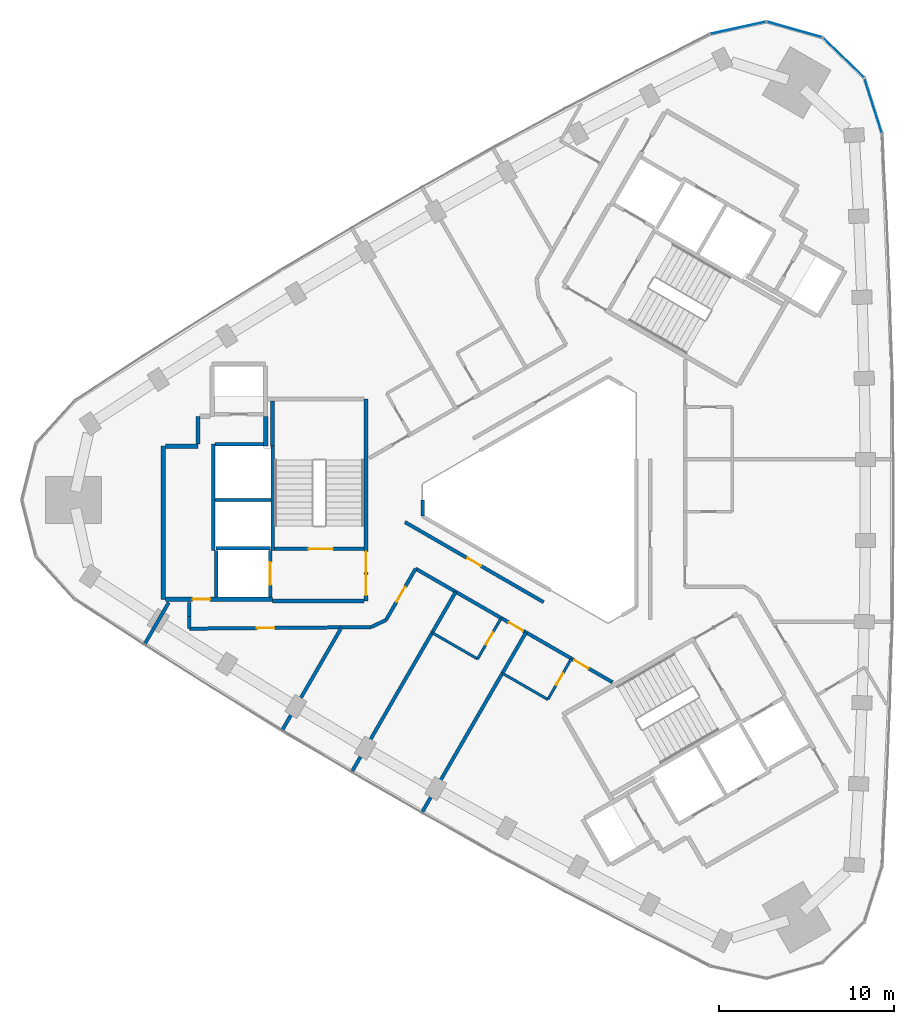
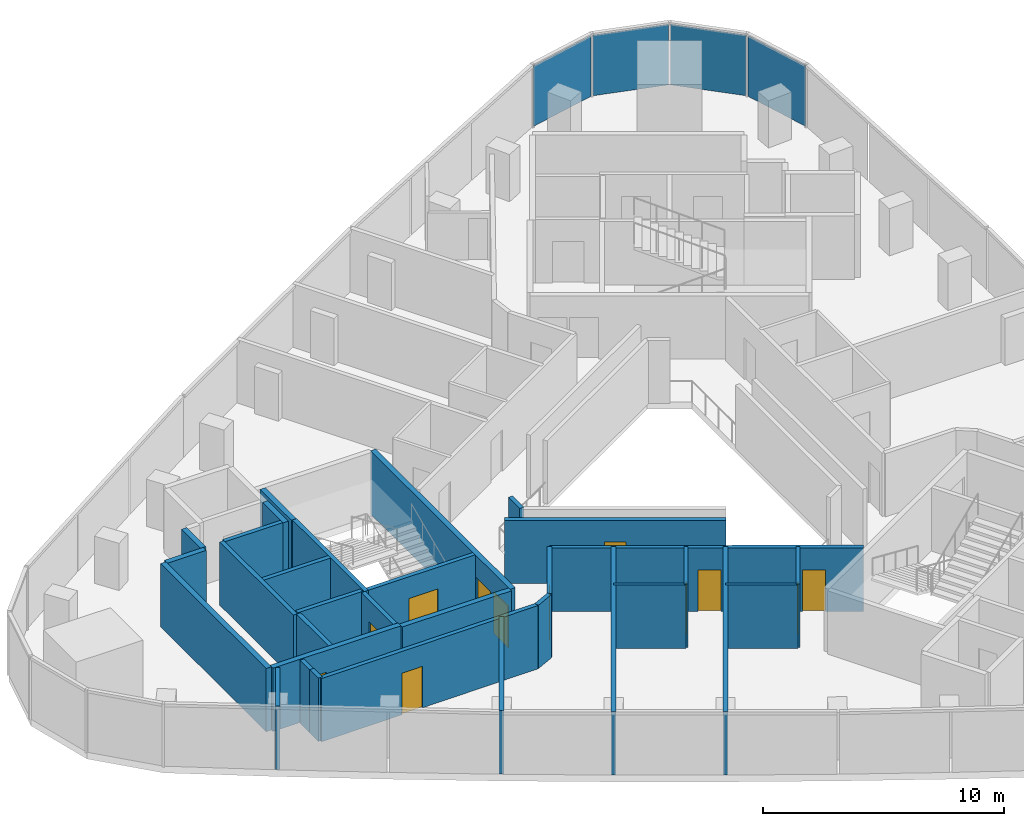
# One storey, part 7 of 11: 32 walls, 12 doors, 4 plates, 12 openings, 1 element without a shape of its own.
"""IFC4 building model written with IfcOpenShell, lengths in metres."""

from ifc_helpers import new_model, si_unit, direction, frame, frame_2d, origin, origin_2d, place, context, subcontext, project, spatial, rectangle, extrude, material, layer, layer_set, type_object, element, fill, aggregate, save


model = new_model("IFC4")

# Units and contexts
model_context = context("Model", 3, precision=1e-05, world=origin(), true_north=direction((0.0, 1.0)))
body_context = subcontext(model_context, "Body", "Model", "MODEL_VIEW")
ifc_project = project(units=[si_unit("LENGTHUNIT", "METRE"), si_unit("AREAUNIT", "SQUARE_METRE"), si_unit("VOLUMEUNIT", "CUBIC_METRE"), si_unit("PLANEANGLEUNIT", "RADIAN"), si_unit("MASSUNIT", "GRAM", prefix="KILO")], contexts=[model_context])

# Site, building, storey
site_placement = place(None, origin())
site = spatial("IfcSite", under=ifc_project, at=site_placement, CompositionType="ELEMENT")
building_placement = place(site_placement, origin())
building = spatial("IfcBuilding", under=site, at=building_placement, Name="Tamra Quay Hotel Tower", CompositionType="ELEMENT")
storey_placement = place(building_placement, frame((0.0, 0.0, 208.0)))
storey = spatial("IfcBuildingStorey", under=building, at=storey_placement, Name="L52", CompositionType="ELEMENT", Elevation=208.0)

# Curtain wall, plates
ifc_material_1 = material(Name="Aluminium 6063 anodised dark grey", Category="aluminium")
curtain_wall_type = type_object("IfcCurtainWallType", Name="CW1 CURTAIN WALL", PredefinedType="NOTDEFINED", material=ifc_material_1)
curtain_wall_placement = place(storey_placement, origin())
curtain_wall = element("IfcCurtainWall", 1, at=curtain_wall_placement, inside=storey, type_object=curtain_wall_type, Name="CW1 east face L52", PredefinedType="NOTDEFINED")
ifc_material_2 = material(Name="Glass clear laminated low-iron", Category="glass")
ifc_layer_1 = layer(ifc_material_2, 0.030029296875)
ifc_layer_set_1 = layer_set([ifc_layer_1], Name="GLASS PANEL CW1 Z4")
plate_type = type_object("IfcPlateType", Name="GLASS PANEL CW1 Z4", PredefinedType="CURTAIN_PANEL", material=ifc_layer_set_1)
plate_1_placement = place(storey_placement, frame((18.16064453125, 22.54052734375, 0.0), z_axis=(0.0, 0.0, 1.0), x_axis=(-0.303410479682, 0.952859948166, 0.0)))
plate_1 = element("IfcPlate", 2, at=plate_1_placement, type_object=plate_type, Name="CW1 glass L52.E.10", PredefinedType="CURTAIN_PANEL", context=body_context, shape_type="SweptSolid", body=[
    extrude(rectangle(XDim=3.227783203125, YDim=0.030029296875, at=origin_2d()), origin(), (0.0, 0.0, 1.0), 3.06005859375),
])
plate_2_placement = place(storey_placement, frame((16.461181640625, 25.2841796875, 0.0), z_axis=(0.0, 0.0, 1.0), x_axis=(-0.717974699393, 0.696069199888, 0.0)))
plate_2 = element("IfcPlate", 3, at=plate_2_placement, type_object=plate_type, Name="CW1 glass L52.E.11", PredefinedType="CURTAIN_PANEL", context=body_context, shape_type="SweptSolid", body=[
    extrude(rectangle(XDim=3.227783203125, YDim=0.030029296875, at=origin_2d()), origin(), (0.0, 0.0, 1.0), 3.06005859375),
])
plate_3_placement = place(storey_placement, frame((13.666259765625, 26.897705078125, 0.0), z_axis=(0.0, 0.0, 1.0), x_axis=(-0.961800959591, 0.273749729005, 0.0)))
plate_3 = element("IfcPlate", 4, at=plate_3_placement, type_object=plate_type, Name="CW1 glass L52.E.12", PredefinedType="CURTAIN_PANEL", context=body_context, shape_type="SweptSolid", body=[
    extrude(rectangle(XDim=3.227783203125, YDim=0.030029296875, at=origin_2d()), origin(), (0.0, 0.0, 1.0), 3.06005859375),
])
plate_4_placement = place(storey_placement, frame((10.4404296875, 26.997802734375, 0.0), z_axis=(0.0, 0.0, 1.0), x_axis=(-0.976906161202, -0.213668790904, 0.0)))
plate_4 = element("IfcPlate", 5, at=plate_4_placement, type_object=plate_type, Name="CW1 glass L52.E.13", PredefinedType="CURTAIN_PANEL", context=body_context, shape_type="SweptSolid", body=[
    extrude(rectangle(XDim=3.227783203125, YDim=0.030029296875, at=origin_2d()), origin(), (0.0, 0.0, 1.0), 3.06005859375),
])
aggregate(curtain_wall, [plate_1, plate_2, plate_3, plate_4])

# Walls
ifc_material_3 = material(Name="Concrete M70", Category="concrete")
ifc_layer_2 = layer(ifc_material_3, 0.199951171875)
ifc_layer_set_2 = layer_set([ifc_layer_2], Name="Concrete M70 core wall 200")
wall_type_1 = type_object("IfcWallType", Name="Concrete M70 core wall 200", PredefinedType="SHEAR", material=ifc_layer_set_2)
wall_1_placement = place(storey_placement, frame((-16.162109375, 3.073974609375, 0.0), z_axis=(0.0, 0.0, 1.0), x_axis=(0.0, -1.0, 0.0)))
element("IfcWall", 6, at=wall_1_placement, inside=storey, type_object=wall_type_1, Name="CW2", PredefinedType="SHEAR", context=body_context, shape_type="SweptSolid", body=[
    extrude(rectangle(XDim=5.97412109375, YDim=0.199951171875, at=frame_2d((2.987060546875, 0.0))), origin(), (0.0, 0.0, 1.0), 3.199951171875),
])
wall_2_placement = place(storey_placement, frame((-19.5625, -2.900146484375, 0.0), z_axis=(0.0, 0.0, 1.0), x_axis=(0.0, 1.0, 0.0)))
element("IfcWall", 7, at=wall_2_placement, inside=storey, type_object=wall_type_1, Name="CW2", PredefinedType="SHEAR", context=body_context, shape_type="SweptSolid", body=[
    extrude(rectangle(XDim=6.100341796875, YDim=0.199951171875, at=frame_2d((3.05029296875, 0.0))), origin(), (0.0, 0.0, 1.0), 3.199951171875),
])

# Wall, opening, door
wall_3_placement = place(storey_placement, frame((-10.96337890625, -2.800048828125, 0.0), z_axis=(0.0, 0.0, 1.0), x_axis=(-1.0, 0.0, 0.0)))
wall_3 = element("IfcWall", 8, at=wall_3_placement, inside=storey, type_object=wall_type_1, Name="CW2", PredefinedType="SHEAR", context=body_context, shape_type="SweptSolid", body=[
    extrude(rectangle(XDim=5.097900390625, YDim=0.199951171875, at=frame_2d((2.548828125, 0.0))), origin(), (0.0, 0.0, 1.0), 3.199951171875),
])
opening_1_placement = place(wall_3_placement, frame((1.77392578125, 0.0, 0.0)))
opening_1 = element("IfcOpeningElement", 9, at=opening_1_placement, cuts=wall_3, Name="Opening FD2", PredefinedType="OPENING", context=body_context, shape_type="SweptSolid", body=[
    extrude(rectangle(XDim=1.39990234375, YDim=2.10009765625, at=frame_2d((0.699951171875, 1.050048828125))), frame((0.0, 0.10986328125, 0.0), z_axis=(0.0, -1.0, 0.0), x_axis=(1.0, 0.0, 0.0)), (0.0, 0.0, 1.0), 0.219970703125),
])
ifc_material_4 = material(Name="Core door FD2 1400x2100 RH")
door_type_1 = type_object("IfcDoorType", Name="Core door FD2 1400x2100 RH", OperationType="NOTDEFINED", PredefinedType="DOOR", material=ifc_material_4)
door_1_placement = place(opening_1_placement, origin())
door_1 = element("IfcDoor", 10, at=door_1_placement, inside=storey, type_object=door_type_1, Name="FD2", OperationType="SINGLE_SWING_RIGHT", OverallHeight=2.10009765625, OverallWidth=1.39990234375, PredefinedType="DOOR", context=body_context, shape_type="SweptSolid", body=[
    extrude(rectangle(XDim=1.39990234375, YDim=2.10009765625, at=frame_2d((0.699951171875, 1.050048828125))), frame((0.0, 0.02490234375, 0.0), z_axis=(0.0, -1.0, 0.0), x_axis=(1.0, 0.0, 0.0)), (0.0, 0.0, 1.0), 0.050048828125),
])
fill(opening_1, door_1)

# Walls
wall_4_placement = place(storey_placement, frame((-16.26318359375, 0.0, 0.0), z_axis=(0.0, 0.0, 1.0), x_axis=(-1.0, 0.0, 0.0)))
element("IfcWall", 11, at=wall_4_placement, inside=storey, type_object=wall_type_1, Name="CW2", PredefinedType="SHEAR", context=body_context, shape_type="SweptSolid", body=[
    extrude(rectangle(XDim=3.1982421875, YDim=0.199951171875, at=frame_2d((1.59912109375, 0.0))), origin(), (0.0, 0.0, 1.0), 3.199951171875),
])
wall_5_placement = place(storey_placement, frame((-19.46240234375, 3.2001953125, 0.0), z_axis=(0.0, 0.0, 1.0), x_axis=(1.0, 0.0, 0.0)))
element("IfcWall", 12, at=wall_5_placement, inside=storey, type_object=wall_type_1, Name="CW2", PredefinedType="SHEAR", context=body_context, shape_type="SweptSolid", body=[
    extrude(rectangle(XDim=2.759033203125, YDim=0.199951171875, at=frame_2d((1.37939453125, 0.0))), origin(), (0.0, 0.0, 1.0), 3.199951171875),
])
wall_6_placement = place(storey_placement, frame((-19.412353515625, -2.75, 0.0), z_axis=(0.0, 0.0, 1.0), x_axis=(1.0, 0.0, 0.0)))
element("IfcWall", 13, at=wall_6_placement, inside=storey, type_object=wall_type_1, Name="CW2", PredefinedType="SHEAR", context=body_context, shape_type="SweptSolid", body=[
    extrude(rectangle(XDim=3.10009765625, YDim=0.199951171875, at=frame_2d((1.550048828125, 0.0))), origin(), (0.0, 0.0, 1.0), 3.199951171875),
])

# Wall, opening, door
wall_7_placement = place(storey_placement, frame((-16.312255859375, -2.898193359375, 0.0), z_axis=(0.0, 0.0, 1.0), x_axis=(0.0, -1.0, 0.0)))
wall_7 = element("IfcWall", 14, at=wall_7_placement, inside=storey, type_object=wall_type_1, Name="CW2", PredefinedType="SHEAR", context=body_context, shape_type="SweptSolid", body=[
    extrude(rectangle(XDim=2.65087890625, YDim=0.199951171875, at=frame_2d((1.325439453125, 0.0))), origin(), (0.0, 0.0, 1.0), 3.199951171875),
])
opening_2_placement = place(wall_7_placement, frame((0.65185546875, 0.0, 0.0)))
opening_2 = element("IfcOpeningElement", 15, at=opening_2_placement, cuts=wall_7, Name="Opening LD", PredefinedType="OPENING", context=body_context, shape_type="SweptSolid", body=[
    extrude(rectangle(XDim=1.300048828125, YDim=2.10009765625, at=frame_2d((0.64990234375, 1.050048828125))), frame((0.0, 0.10986328125, 0.0), z_axis=(0.0, -1.0, 0.0), x_axis=(1.0, 0.0, 0.0)), (0.0, 0.0, 1.0), 0.219970703125),
])
ifc_material_5 = material(Name="Landing door LD 1300 sliding to right")
door_type_2 = type_object("IfcDoorType", Name="Landing door LD 1300 sliding to right", OperationType="NOTDEFINED", PredefinedType="DOOR", material=ifc_material_5)
door_2_placement = place(opening_2_placement, origin())
door_2 = element("IfcDoor", 16, at=door_2_placement, inside=storey, type_object=door_type_2, Name="LD", OperationType="SLIDING_TO_RIGHT", OverallHeight=2.10009765625, OverallWidth=1.300048828125, PredefinedType="DOOR", context=body_context, shape_type="SweptSolid", body=[
    extrude(rectangle(XDim=1.300048828125, YDim=2.10009765625, at=frame_2d((0.64990234375, 1.050048828125))), frame((0.0, 0.02490234375, 0.0), z_axis=(0.0, -1.0, 0.0), x_axis=(1.0, 0.0, 0.0)), (0.0, 0.0, 1.0), 0.050048828125),
])
fill(opening_2, door_2)

# Wall
wall_8_placement = place(storey_placement, frame((-19.412353515625, -5.549072265625, 0.0), z_axis=(0.0, 0.0, 1.0), x_axis=(0.0, 1.0, 0.0)))
element("IfcWall", 17, at=wall_8_placement, inside=storey, type_object=wall_type_1, Name="CW2", PredefinedType="SHEAR", context=body_context, shape_type="SweptSolid", body=[
    extrude(rectangle(XDim=2.65087890625, YDim=0.199951171875, at=frame_2d((1.325439453125, 0.0))), origin(), (0.0, 0.0, 1.0), 3.199951171875),
])

# Wall, openings, doors
ifc_layer_3 = layer(ifc_material_3, 0.25)
ifc_layer_set_3 = layer_set([ifc_layer_3], Name="Concrete M70 core wall 250")
wall_type_2 = type_object("IfcWallType", Name="Concrete M70 core wall 250", PredefinedType="SHEAR", material=ifc_layer_set_3)
wall_9_placement = place(storey_placement, frame((-10.83740234375, 5.77490234375, 0.0), z_axis=(0.0, 0.0, 1.0), x_axis=(0.0, -1.0, 0.0)))
wall_9 = element("IfcWall", 18, at=wall_9_placement, inside=storey, type_object=wall_type_2, Name="CW1", PredefinedType="SHEAR", context=body_context, shape_type="SweptSolid", body=[
    extrude(rectangle(XDim=11.5498046875, YDim=0.25, at=frame_2d((5.77490234375, 0.0))), origin(), (0.0, 0.0, 1.0), 3.199951171875),
])
opening_3_placement = place(wall_9_placement, frame((10.02490234375, 0.0, 0.0)))
opening_3 = element("IfcOpeningElement", 19, at=opening_3_placement, cuts=wall_9, Name="Opening FD1", PredefinedType="OPENING", context=body_context, shape_type="SweptSolid", body=[
    extrude(rectangle(XDim=1.199951171875, YDim=2.10009765625, at=frame_2d((0.60009765625, 1.050048828125))), frame((0.0, 0.135009765625, 0.0), z_axis=(0.0, -1.0, 0.0), x_axis=(1.0, 0.0, 0.0)), (0.0, 0.0, 1.0), 0.27001953125),
])
opening_4_placement = place(wall_9_placement, frame((8.72509765625, 0.0, 0.0)))
opening_4 = element("IfcOpeningElement", 20, at=opening_4_placement, cuts=wall_9, Name="Opening FD1", PredefinedType="OPENING", context=body_context, shape_type="SweptSolid", body=[
    extrude(rectangle(XDim=1.199951171875, YDim=2.10009765625, at=frame_2d((0.60009765625, 1.050048828125))), frame((0.0, 0.135009765625, 0.0), z_axis=(0.0, -1.0, 0.0), x_axis=(1.0, 0.0, 0.0)), (0.0, 0.0, 1.0), 0.27001953125),
])
ifc_material_6 = material(Name="Core door FD1 1200x2100 LH")
door_type_3 = type_object("IfcDoorType", Name="Core door FD1 1200x2100 LH", OperationType="NOTDEFINED", PredefinedType="DOOR", material=ifc_material_6)
door_3_placement = place(opening_3_placement, origin())
door_3 = element("IfcDoor", 21, at=door_3_placement, inside=storey, type_object=door_type_3, Name="FD1", OperationType="SINGLE_SWING_LEFT", OverallHeight=2.10009765625, OverallWidth=1.199951171875, PredefinedType="DOOR", context=body_context, shape_type="SweptSolid", body=[
    extrude(rectangle(XDim=1.199951171875, YDim=2.10009765625, at=frame_2d((0.60009765625, 1.050048828125))), frame((0.0, 0.02490234375, 0.0), z_axis=(0.0, -1.0, 0.0), x_axis=(1.0, 0.0, 0.0)), (0.0, 0.0, 1.0), 0.050048828125),
])
fill(opening_3, door_3)
ifc_material_7 = material(Name="Core door FD1 1200x2100 RH")
door_type_4 = type_object("IfcDoorType", Name="Core door FD1 1200x2100 RH", OperationType="NOTDEFINED", PredefinedType="DOOR", material=ifc_material_7)
door_4_placement = place(opening_4_placement, origin())
door_4 = element("IfcDoor", 22, at=door_4_placement, inside=storey, type_object=door_type_4, Name="FD1", OperationType="SINGLE_SWING_RIGHT", OverallHeight=2.10009765625, OverallWidth=1.199951171875, PredefinedType="DOOR", context=body_context, shape_type="SweptSolid", body=[
    extrude(rectangle(XDim=1.199951171875, YDim=2.10009765625, at=frame_2d((0.60009765625, 1.050048828125))), frame((0.0, 0.02490234375, 0.0), z_axis=(0.0, -1.0, 0.0), x_axis=(1.0, 0.0, 0.0)), (0.0, 0.0, 1.0), 0.050048828125),
])
fill(opening_4, door_4)

# Wall
wall_10_placement = place(storey_placement, frame((-22.437255859375, -5.675048828125, 0.0), z_axis=(0.0, 0.0, 1.0), x_axis=(0.0, 1.0, 0.0)))
element("IfcWall", 23, at=wall_10_placement, inside=storey, type_object=wall_type_2, Name="CW1", PredefinedType="SHEAR", context=body_context, shape_type="SweptSolid", body=[
    extrude(rectangle(XDim=8.75, YDim=0.25, at=frame_2d((4.375, 0.0))), origin(), (0.0, 0.0, 1.0), 3.199951171875),
])

# Wall, opening, door
wall_11_placement = place(storey_placement, frame((-16.187255859375, -5.675048828125, 0.0), z_axis=(0.0, 0.0, 1.0), x_axis=(-1.0, 0.0, 0.0)))
wall_11 = element("IfcWall", 24, at=wall_11_placement, inside=storey, type_object=wall_type_2, Name="CW1", PredefinedType="SHEAR", context=body_context, shape_type="SweptSolid", body=[
    extrude(rectangle(XDim=6.12451171875, YDim=0.25, at=frame_2d((3.062255859375, 0.0))), origin(), (0.0, 0.0, 1.0), 3.199951171875),
])
opening_5_placement = place(wall_11_placement, frame((3.562744140625, 0.0, 0.0)))
opening_5 = element("IfcOpeningElement", 25, at=opening_5_placement, cuts=wall_11, Name="Opening FD3", PredefinedType="OPENING", context=body_context, shape_type="SweptSolid", body=[
    extrude(rectangle(XDim=1.0, YDim=2.10009765625, at=frame_2d((0.5, 1.050048828125))), frame((0.0, 0.135009765625, 0.0), z_axis=(0.0, -1.0, 0.0), x_axis=(1.0, 0.0, 0.0)), (0.0, 0.0, 1.0), 0.27001953125),
])
ifc_material_8 = material(Name="Core door FD3 1000x2100 LH")
door_type_5 = type_object("IfcDoorType", Name="Core door FD3 1000x2100 LH", OperationType="NOTDEFINED", PredefinedType="DOOR", material=ifc_material_8)
door_5_placement = place(opening_5_placement, origin())
door_5 = element("IfcDoor", 26, at=door_5_placement, inside=storey, type_object=door_type_5, Name="FD3", OperationType="SINGLE_SWING_LEFT", OverallHeight=2.10009765625, OverallWidth=1.0, PredefinedType="DOOR", context=body_context, shape_type="SweptSolid", body=[
    extrude(rectangle(XDim=1.0, YDim=2.10009765625, at=frame_2d((0.5, 1.050048828125))), frame((0.0, 0.02490234375, 0.0), z_axis=(0.0, -1.0, 0.0), x_axis=(1.0, 0.0, 0.0)), (0.0, 0.0, 1.0), 0.050048828125),
])
fill(opening_5, door_5)

# Walls
wall_12_placement = place(storey_placement, frame((-10.962646484375, -5.77490234375, 0.0), z_axis=(0.0, 0.0, 1.0), x_axis=(-1.0, 0.0, 0.0)))
element("IfcWall", 27, at=wall_12_placement, inside=storey, type_object=wall_type_2, Name="CW1", PredefinedType="SHEAR", context=body_context, shape_type="SweptSolid", body=[
    extrude(rectangle(XDim=5.224609375, YDim=0.25, at=frame_2d((2.6123046875, 0.0))), origin(), (0.0, 0.0, 1.0), 3.199951171875),
])
wall_13_placement = place(storey_placement, frame((-16.187255859375, 3.074951171875, 0.0), z_axis=(0.0, 0.0, 1.0), x_axis=(0.0, 1.0, 0.0)))
element("IfcWall", 28, at=wall_13_placement, inside=storey, type_object=wall_type_2, Name="CW1", PredefinedType="SHEAR", context=body_context, shape_type="SweptSolid", body=[
    extrude(rectangle(XDim=2.57470703125, YDim=0.25, at=frame_2d((1.287353515625, 0.0))), origin(), (0.0, 0.0, 1.0), 3.199951171875),
])
wall_14_placement = place(storey_placement, frame((-22.311767578125, 3.074951171875, 0.0), z_axis=(0.0, 0.0, 1.0), x_axis=(1.0, 0.0, 0.0)))
element("IfcWall", 29, at=wall_14_placement, inside=storey, type_object=wall_type_2, Name="CW1", PredefinedType="SHEAR", context=body_context, shape_type="SweptSolid", body=[
    extrude(rectangle(XDim=1.864501953125, YDim=0.25, at=frame_2d((0.93212890625, 0.0))), origin(), (0.0, 0.0, 1.0), 3.199951171875),
])
wall_15_placement = place(storey_placement, frame((-16.577392578125, 4.784912109375, 0.0), z_axis=(0.0, 0.0, 1.0), x_axis=(0.0, -1.0, 0.0)))
element("IfcWall", 30, at=wall_15_placement, inside=storey, type_object=wall_type_2, Name="CW1", PredefinedType="SHEAR", context=body_context, shape_type="SweptSolid", body=[
    extrude(rectangle(XDim=1.7099609375, YDim=0.25, at=frame_2d((0.85498046875, 0.0))), origin(), (0.0, 0.0, 1.0), 3.199951171875),
])
wall_16_placement = place(storey_placement, frame((-20.447265625, 3.200439453125, 0.0), z_axis=(0.0, 0.0, 1.0), x_axis=(0.0, 1.0, 0.0)))
element("IfcWall", 31, at=wall_16_placement, inside=storey, type_object=wall_type_2, Name="CW1", PredefinedType="SHEAR", context=body_context, shape_type="SweptSolid", body=[
    extrude(rectangle(XDim=1.58447265625, YDim=0.25, at=frame_2d((0.792236328125, 0.0))), origin(), (0.0, 0.0, 1.0), 3.199951171875),
])
ifc_material_9 = material(Name="Partition corridor wall")
ifc_layer_4 = layer(ifc_material_9, 0.199951171875)
ifc_layer_set_4 = layer_set([ifc_layer_4], Name="Partition corridor wall")
wall_type_3 = type_object("IfcWallType", Name="Partition corridor wall", PredefinedType="PARTITIONING", material=ifc_layer_set_4)
wall_17_placement = place(storey_placement, frame((-20.949951171875, -6.64990234375, 0.0), z_axis=(0.0, 0.0, 1.0), x_axis=(0.0, 1.0, 0.0)))
element("IfcWall", 32, at=wall_17_placement, inside=storey, type_object=wall_type_3, Name="W-C", PredefinedType="PARTITIONING", context=body_context, shape_type="SweptSolid", body=[
    extrude(rectangle(XDim=0.789794921875, YDim=0.199951171875, at=frame_2d((0.39501953125, 0.0))), origin(), (0.0, 0.0, 1.0), 3.199951171875),
])
wall_18_placement = place(storey_placement, frame((-20.947021484375, -6.653076171875, 0.0), z_axis=(0.0, 0.0, 1.0), x_axis=(0.004173876686, -0.999991289339, 0.0)))
element("IfcWall", 33, at=wall_18_placement, inside=storey, type_object=wall_type_3, Name="W-C", PredefinedType="PARTITIONING", context=body_context, shape_type="SweptSolid", body=[
    extrude(rectangle(XDim=0.701904296875, YDim=0.199951171875, at=frame_2d((0.35107421875, 0.0))), origin(), (0.0, 0.0, 1.0), 3.199951171875),
])

# Wall, opening, door
wall_19_placement = place(storey_placement, frame((-20.944091796875, -7.35595703125, 0.0), z_axis=(0.0, 0.0, 1.0), x_axis=(0.999965021341, 0.008363976025, 0.0)))
wall_19 = element("IfcWall", 34, at=wall_19_placement, inside=storey, type_object=wall_type_3, Name="W-C", PredefinedType="PARTITIONING", context=body_context, shape_type="SweptSolid", body=[
    extrude(rectangle(XDim=10.391357421875, YDim=0.199951171875, at=frame_2d((5.19580078125, 0.0))), origin(), (0.0, 0.0, 1.0), 3.199951171875),
])
opening_6_placement = place(wall_19_placement, frame((3.859619140625, 0.0, 0.0)))
opening_6 = element("IfcOpeningElement", 35, at=opening_6_placement, cuts=wall_19, Name="Opening L52-D008", PredefinedType="OPENING", context=body_context, shape_type="SweptSolid", body=[
    extrude(rectangle(XDim=1.0, YDim=2.10009765625, at=frame_2d((0.5, 1.050048828125))), frame((0.0, 0.10986328125, 0.0), z_axis=(0.0, -1.0, 0.0), x_axis=(1.0, 0.0, 0.0)), (0.0, 0.0, 1.0), 0.219970703125),
])
ifc_material_10 = material(Name="Door guest room 1000x2100")
door_type_6 = type_object("IfcDoorType", Name="Door guest room 1000x2100", OperationType="NOTDEFINED", PredefinedType="DOOR", material=ifc_material_10)
door_6_placement = place(opening_6_placement, frame((1.0, 0.0, 0.0), z_axis=(0.0, 0.0, 1.0), x_axis=(-1.0, 0.0, 0.0)))
door_6 = element("IfcDoor", 36, at=door_6_placement, inside=storey, type_object=door_type_6, Name="L52-D008", OperationType="SINGLE_SWING_LEFT", OverallHeight=2.10009765625, OverallWidth=1.0, PredefinedType="DOOR", context=body_context, shape_type="SweptSolid", body=[
    extrude(rectangle(XDim=1.0, YDim=2.10009765625, at=frame_2d((0.5, 1.050048828125))), frame((0.0, 0.02490234375, 0.0), z_axis=(0.0, -1.0, 0.0), x_axis=(1.0, 0.0, 0.0)), (0.0, 0.0, 1.0), 0.050048828125),
])
fill(opening_6, door_6)

# Wall
wall_20_placement = place(storey_placement, frame((-10.552001953125, -7.26806640625, 0.0), z_axis=(0.0, 0.0, 1.0), x_axis=(0.904331815333, 0.426830139255, 0.0)))
element("IfcWall", 37, at=wall_20_placement, inside=storey, type_object=wall_type_3, Name="W-C", PredefinedType="PARTITIONING", context=body_context, shape_type="SweptSolid", body=[
    extrude(rectangle(XDim=0.9443359375, YDim=0.199951171875, at=frame_2d((0.47216796875, 0.0))), origin(), (0.0, 0.0, 1.0), 3.199951171875),
])

# Wall, opening, door
wall_21_placement = place(storey_placement, frame((-9.697021484375, -6.864013671875, 0.0), z_axis=(0.0, 0.0, 1.0), x_axis=(0.499955030392, 0.866051365443, 0.0)))
wall_21 = element("IfcWall", 38, at=wall_21_placement, inside=storey, type_object=wall_type_3, Name="W-C", PredefinedType="PARTITIONING", context=body_context, shape_type="SweptSolid", body=[
    extrude(rectangle(XDim=3.392333984375, YDim=0.199951171875, at=frame_2d((1.6962890625, 0.0))), origin(), (0.0, 0.0, 1.0), 3.199951171875),
])
opening_7_placement = place(wall_21_placement, frame((1.1962890625, 0.0, 0.0)))
opening_7 = element("IfcOpeningElement", 39, at=opening_7_placement, cuts=wall_21, Name="Opening L52-D009", PredefinedType="OPENING", context=body_context, shape_type="SweptSolid", body=[
    extrude(rectangle(XDim=1.0, YDim=2.10009765625, at=frame_2d((0.5, 1.050048828125))), frame((0.0, 0.10986328125, 0.0), z_axis=(0.0, -1.0, 0.0), x_axis=(1.0, 0.0, 0.0)), (0.0, 0.0, 1.0), 0.219970703125),
])
door_7_placement = place(opening_7_placement, frame((1.0, 0.0, 0.0), z_axis=(0.0, 0.0, 1.0), x_axis=(-1.0, 0.0, 0.0)))
door_7 = element("IfcDoor", 40, at=door_7_placement, inside=storey, type_object=door_type_6, Name="L52-D009", OperationType="SINGLE_SWING_LEFT", OverallHeight=2.10009765625, OverallWidth=1.0, PredefinedType="DOOR", context=body_context, shape_type="SweptSolid", body=[
    extrude(rectangle(XDim=1.0, YDim=2.10009765625, at=frame_2d((0.5, 1.050048828125))), frame((0.0, 0.02490234375, 0.0), z_axis=(0.0, -1.0, 0.0), x_axis=(1.0, 0.0, 0.0)), (0.0, 0.0, 1.0), 0.050048828125),
])
fill(opening_7, door_7)

wall_22_placement = place(storey_placement, frame((-8.612060546875, -1.262939453125, 0.0), z_axis=(0.0, 0.0, 1.0), x_axis=(0.865996442381, -0.500050159267, 0.0)))
wall_22 = element("IfcWall", 41, at=wall_22_placement, inside=storey, type_object=wall_type_3, Name="W-C", PredefinedType="PARTITIONING", context=body_context, shape_type="SweptSolid", body=[
    extrude(rectangle(XDim=9.1572265625, YDim=0.199951171875, at=frame_2d((4.57861328125, 0.0))), origin(), (0.0, 0.0, 1.0), 3.199951171875),
])
opening_8_placement = place(wall_22_placement, frame((4.12841796875, 0.0, 0.0)))
opening_8 = element("IfcOpeningElement", 42, at=opening_8_placement, cuts=wall_22, Name="Opening L52-D022", PredefinedType="OPENING", context=body_context, shape_type="SweptSolid", body=[
    extrude(rectangle(XDim=0.89990234375, YDim=2.10009765625, at=frame_2d((0.449951171875, 1.050048828125))), frame((0.0, 0.10986328125, 0.0), z_axis=(0.0, -1.0, 0.0), x_axis=(1.0, 0.0, 0.0)), (0.0, 0.0, 1.0), 0.219970703125),
])
ifc_material_11 = material(Name="Door service room 900x2100")
door_type_7 = type_object("IfcDoorType", Name="Door service room 900x2100", OperationType="NOTDEFINED", PredefinedType="DOOR", material=ifc_material_11)
door_8_placement = place(opening_8_placement, origin())
door_8 = element("IfcDoor", 43, at=door_8_placement, inside=storey, type_object=door_type_7, Name="L52-D022", OperationType="SINGLE_SWING_LEFT", OverallHeight=2.10009765625, OverallWidth=0.89990234375, PredefinedType="DOOR", context=body_context, shape_type="SweptSolid", body=[
    extrude(rectangle(XDim=0.89990234375, YDim=2.10009765625, at=frame_2d((0.449951171875, 1.050048828125))), frame((0.0, 0.02490234375, 0.0), z_axis=(0.0, -1.0, 0.0), x_axis=(1.0, 0.0, 0.0)), (0.0, 0.0, 1.0), 0.050048828125),
])
fill(opening_8, door_8)

# Wall, openings, doors
wall_23_placement = place(storey_placement, frame((-8.0009765625, -3.926025390625, 0.0), z_axis=(0.0, 0.0, 1.0), x_axis=(0.866131158271, -0.499816783104, 0.0)))
wall_23 = element("IfcWall", 44, at=wall_23_placement, inside=storey, type_object=wall_type_3, Name="W-C", PredefinedType="PARTITIONING", context=body_context, shape_type="SweptSolid", body=[
    extrude(rectangle(XDim=12.9951171875, YDim=0.199951171875, at=frame_2d((6.49755859375, 0.0))), origin(), (0.0, 0.0, 1.0), 3.199951171875),
])
opening_9_placement = place(wall_23_placement, frame((6.146484375, 0.0, 0.0)))
opening_9 = element("IfcOpeningElement", 45, at=opening_9_placement, cuts=wall_23, Name="Opening L52-D010", PredefinedType="OPENING", context=body_context, shape_type="SweptSolid", body=[
    extrude(rectangle(XDim=0.949951171875, YDim=2.10009765625, at=frame_2d((0.47509765625, 1.050048828125))), frame((0.0, 0.10986328125, 0.0), z_axis=(0.0, -1.0, 0.0), x_axis=(1.0, 0.0, 0.0)), (0.0, 0.0, 1.0), 0.219970703125),
])
opening_10_placement = place(wall_23_placement, frame((10.47216796875, 0.0, 0.0)))
opening_10 = element("IfcOpeningElement", 46, at=opening_10_placement, cuts=wall_23, Name="Opening L52-D012", PredefinedType="OPENING", context=body_context, shape_type="SweptSolid", body=[
    extrude(rectangle(XDim=0.949951171875, YDim=2.10009765625, at=frame_2d((0.47509765625, 1.050048828125))), frame((0.0, 0.10986328125, 0.0), z_axis=(0.0, -1.0, 0.0), x_axis=(1.0, 0.0, 0.0)), (0.0, 0.0, 1.0), 0.219970703125),
])
ifc_material_12 = material(Name="Door guest room 950x2100")
door_type_8 = type_object("IfcDoorType", Name="Door guest room 950x2100", OperationType="NOTDEFINED", PredefinedType="DOOR", material=ifc_material_12)
door_9_placement = place(opening_9_placement, frame((0.949951171875, 0.0, 0.0), z_axis=(0.0, 0.0, 1.0), x_axis=(-1.0, 0.0, 0.0)))
door_9 = element("IfcDoor", 47, at=door_9_placement, inside=storey, type_object=door_type_8, Name="L52-D010", OperationType="SINGLE_SWING_LEFT", OverallHeight=2.10009765625, OverallWidth=0.949951171875, PredefinedType="DOOR", context=body_context, shape_type="SweptSolid", body=[
    extrude(rectangle(XDim=0.949951171875, YDim=2.10009765625, at=frame_2d((0.47509765625, 1.050048828125))), frame((0.0, 0.02490234375, 0.0), z_axis=(0.0, -1.0, 0.0), x_axis=(1.0, 0.0, 0.0)), (0.0, 0.0, 1.0), 0.050048828125),
])
fill(opening_9, door_9)
door_10_placement = place(opening_10_placement, frame((0.949951171875, 0.0, 0.0), z_axis=(0.0, 0.0, 1.0), x_axis=(-1.0, 0.0, 0.0)))
door_10 = element("IfcDoor", 48, at=door_10_placement, inside=storey, type_object=door_type_8, Name="L52-D012", OperationType="SINGLE_SWING_LEFT", OverallHeight=2.10009765625, OverallWidth=0.949951171875, PredefinedType="DOOR", context=body_context, shape_type="SweptSolid", body=[
    extrude(rectangle(XDim=0.949951171875, YDim=2.10009765625, at=frame_2d((0.47509765625, 1.050048828125))), frame((0.0, 0.02490234375, 0.0), z_axis=(0.0, -1.0, 0.0), x_axis=(1.0, 0.0, 0.0)), (0.0, 0.0, 1.0), 0.050048828125),
])
fill(opening_10, door_10)

# Wall
ifc_material_13 = material(Name="Partition en-suite wall")
ifc_layer_5 = layer(ifc_material_13, 0.14990234375)
ifc_layer_set_5 = layer_set([ifc_layer_5], Name="Partition en-suite wall")
wall_type_4 = type_object("IfcWallType", Name="Partition en-suite wall", PredefinedType="PARTITIONING", material=ifc_layer_set_5)
wall_24_placement = place(storey_placement, frame((-7.05810546875, -7.5869140625, 0.0), z_axis=(0.0, 0.0, 1.0), x_axis=(0.866031096941, -0.499990139034, 0.0)))
element("IfcWall", 49, at=wall_24_placement, inside=storey, type_object=wall_type_4, Name="W-E", PredefinedType="PARTITIONING", context=body_context, shape_type="SweptSolid", body=[
    extrude(rectangle(XDim=3.0, YDim=0.14990234375, at=frame_2d((1.5, 0.0))), origin(), (0.0, 0.0, 1.0), 3.199951171875),
])

# Wall, opening, door
wall_25_placement = place(storey_placement, frame((-4.4599609375, -9.0869140625, 0.0), z_axis=(0.0, 0.0, 1.0), x_axis=(0.50001992892, 0.866013897511, 0.0)))
wall_25 = element("IfcWall", 50, at=wall_25_placement, inside=storey, type_object=wall_type_4, Name="W-E", PredefinedType="PARTITIONING", context=body_context, shape_type="SweptSolid", body=[
    extrude(rectangle(XDim=2.69970703125, YDim=0.14990234375, at=frame_2d((1.349853515625, 0.0))), origin(), (0.0, 0.0, 1.0), 3.199951171875),
])
opening_11_placement = place(wall_25_placement, frame((0.94970703125, 0.0, 0.0)))
opening_11 = element("IfcOpeningElement", 51, at=opening_11_placement, cuts=wall_25, Name="Opening L52-D011", PredefinedType="OPENING", context=body_context, shape_type="SweptSolid", body=[
    extrude(rectangle(XDim=0.800048828125, YDim=2.10009765625, at=frame_2d((0.39990234375, 1.050048828125))), frame((0.0, 0.0849609375, 0.0), z_axis=(0.0, -1.0, 0.0), x_axis=(1.0, 0.0, 0.0)), (0.0, 0.0, 1.0), 0.169921875),
])
ifc_material_14 = material(Name="Door en-suite 800x2100")
door_type_9 = type_object("IfcDoorType", Name="Door en-suite 800x2100", OperationType="NOTDEFINED", PredefinedType="DOOR", material=ifc_material_14)
door_11_placement = place(opening_11_placement, origin())
door_11 = element("IfcDoor", 52, at=door_11_placement, inside=storey, type_object=door_type_9, Name="L52-D011", OperationType="SINGLE_SWING_LEFT", OverallHeight=2.10009765625, OverallWidth=0.800048828125, PredefinedType="DOOR", context=body_context, shape_type="SweptSolid", body=[
    extrude(rectangle(XDim=0.800048828125, YDim=2.10009765625, at=frame_2d((0.39990234375, 1.050048828125))), frame((0.0, 0.02490234375, 0.0), z_axis=(0.0, -1.0, 0.0), x_axis=(1.0, 0.0, 0.0)), (0.0, 0.0, 1.0), 0.050048828125),
])
fill(opening_11, door_11)

# Wall
wall_26_placement = place(storey_placement, frame((-3.0419921875, -9.90576171875, 0.0), z_axis=(0.0, 0.0, 1.0), x_axis=(0.866009279501, -0.500027927039, 0.0)))
element("IfcWall", 53, at=wall_26_placement, inside=storey, type_object=wall_type_4, Name="W-E", PredefinedType="PARTITIONING", context=body_context, shape_type="SweptSolid", body=[
    extrude(rectangle(XDim=2.997802734375, YDim=0.14990234375, at=frame_2d((1.4990234375, 0.0))), origin(), (0.0, 0.0, 1.0), 3.199951171875),
])

# Wall, opening, door
wall_27_placement = place(storey_placement, frame((-0.44189453125, -11.403076171875, 0.0), z_axis=(0.0, 0.0, 1.0), x_axis=(0.499717222117, 0.866188604127, 0.0)))
wall_27 = element("IfcWall", 54, at=wall_27_placement, inside=storey, type_object=wall_type_4, Name="W-E", PredefinedType="PARTITIONING", context=body_context, shape_type="SweptSolid", body=[
    extrude(rectangle(XDim=2.693359375, YDim=0.14990234375, at=frame_2d((1.3466796875, 0.0))), origin(), (0.0, 0.0, 1.0), 3.199951171875),
])
opening_12_placement = place(wall_27_placement, frame((0.9462890625, 0.0, 0.0)))
opening_12 = element("IfcOpeningElement", 55, at=opening_12_placement, cuts=wall_27, Name="Opening L52-D013", PredefinedType="OPENING", context=body_context, shape_type="SweptSolid", body=[
    extrude(rectangle(XDim=0.800048828125, YDim=2.10009765625, at=frame_2d((0.39990234375, 1.050048828125))), frame((0.0, 0.0849609375, 0.0), z_axis=(0.0, -1.0, 0.0), x_axis=(1.0, 0.0, 0.0)), (0.0, 0.0, 1.0), 0.169921875),
])
door_12_placement = place(opening_12_placement, frame((0.800048828125, 0.0, 0.0), z_axis=(0.0, 0.0, 1.0), x_axis=(-1.0, 0.0, 0.0)))
door_12 = element("IfcDoor", 56, at=door_12_placement, inside=storey, type_object=door_type_9, Name="L52-D013", OperationType="SINGLE_SWING_LEFT", OverallHeight=2.10009765625, OverallWidth=0.800048828125, PredefinedType="DOOR", context=body_context, shape_type="SweptSolid", body=[
    extrude(rectangle(XDim=0.800048828125, YDim=2.10009765625, at=frame_2d((0.39990234375, 1.050048828125))), frame((0.0, 0.02490234375, 0.0), z_axis=(0.0, -1.0, 0.0), x_axis=(1.0, 0.0, 0.0)), (0.0, 0.0, 1.0), 0.050048828125),
])
fill(opening_12, door_12)

# Walls
ifc_material_15 = material(Name="Partition party wall")
ifc_layer_6 = layer(ifc_material_15, 0.199951171875)
ifc_layer_set_6 = layer_set([ifc_layer_6], Name="Partition party wall")
wall_type_5 = type_object("IfcWallType", Name="Partition party wall", PredefinedType="PARTITIONING", material=ifc_layer_set_6)
wall_28_placement = place(storey_placement, frame((-23.51220703125, -8.274169921875, 0.0), z_axis=(0.0, 0.0, 1.0), x_axis=(0.499944854726, 0.866057239582, 0.0)))
element("IfcWall", 57, at=wall_28_placement, inside=storey, type_object=wall_type_5, Name="W-P", PredefinedType="PARTITIONING", context=body_context, shape_type="SweptSolid", body=[
    extrude(rectangle(XDim=2.787353515625, YDim=0.199951171875, at=frame_2d((1.3935546875, 0.0))), origin(), (0.0, 0.0, 1.0), 3.199951171875),
])
wall_29_placement = place(storey_placement, frame((-15.644775390625, -13.1865234375, 0.0), z_axis=(0.0, 0.0, 1.0), x_axis=(0.499921913572, 0.866070482311, 0.0)))
element("IfcWall", 58, at=wall_29_placement, inside=storey, type_object=wall_type_5, Name="W-P", PredefinedType="PARTITIONING", context=body_context, shape_type="SweptSolid", body=[
    extrude(rectangle(XDim=6.81640625, YDim=0.199951171875, at=frame_2d((3.408203125, 0.0))), origin(), (0.0, 0.0, 1.0), 3.199951171875),
])
wall_30_placement = place(storey_placement, frame((-11.661376953125, -15.560546875, 0.0), z_axis=(0.0, 0.0, 1.0), x_axis=(0.500000523332, 0.866025101638, 0.0)))
element("IfcWall", 59, at=wall_30_placement, inside=storey, type_object=wall_type_5, Name="W-P", PredefinedType="PARTITIONING", context=body_context, shape_type="SweptSolid", body=[
    extrude(rectangle(XDim=11.90673828125, YDim=0.199951171875, at=frame_2d((5.953369140625, 0.0))), origin(), (0.0, 0.0, 1.0), 3.199951171875),
])
wall_31_placement = place(storey_placement, frame((-7.60009765625, -0.924072265625, 0.0), z_axis=(0.0, 0.0, 1.0), x_axis=(0.0, 1.0, 0.0)))
element("IfcWall", 60, at=wall_31_placement, inside=storey, type_object=wall_type_5, Name="W-P", PredefinedType="PARTITIONING", context=body_context, shape_type="SweptSolid", body=[
    extrude(rectangle(XDim=0.93603515625, YDim=0.199951171875, at=frame_2d((0.468017578125, 0.0))), origin(), (0.0, 0.0, 1.0), 3.199951171875),
])
wall_32_placement = place(storey_placement, frame((-7.6455078125, -17.87890625, 0.0), z_axis=(0.0, 0.0, 1.0), x_axis=(0.500042538917, 0.866000842536, 0.0)))
element("IfcWall", 61, at=wall_32_placement, inside=storey, type_object=wall_type_5, Name="W-P", PredefinedType="PARTITIONING", context=body_context, shape_type="SweptSolid", body=[
    extrude(rectangle(XDim=11.90625, YDim=0.199951171875, at=frame_2d((5.953125, 0.0))), origin(), (0.0, 0.0, 1.0), 3.199951171875),
])

save(model, "model.ifc")
